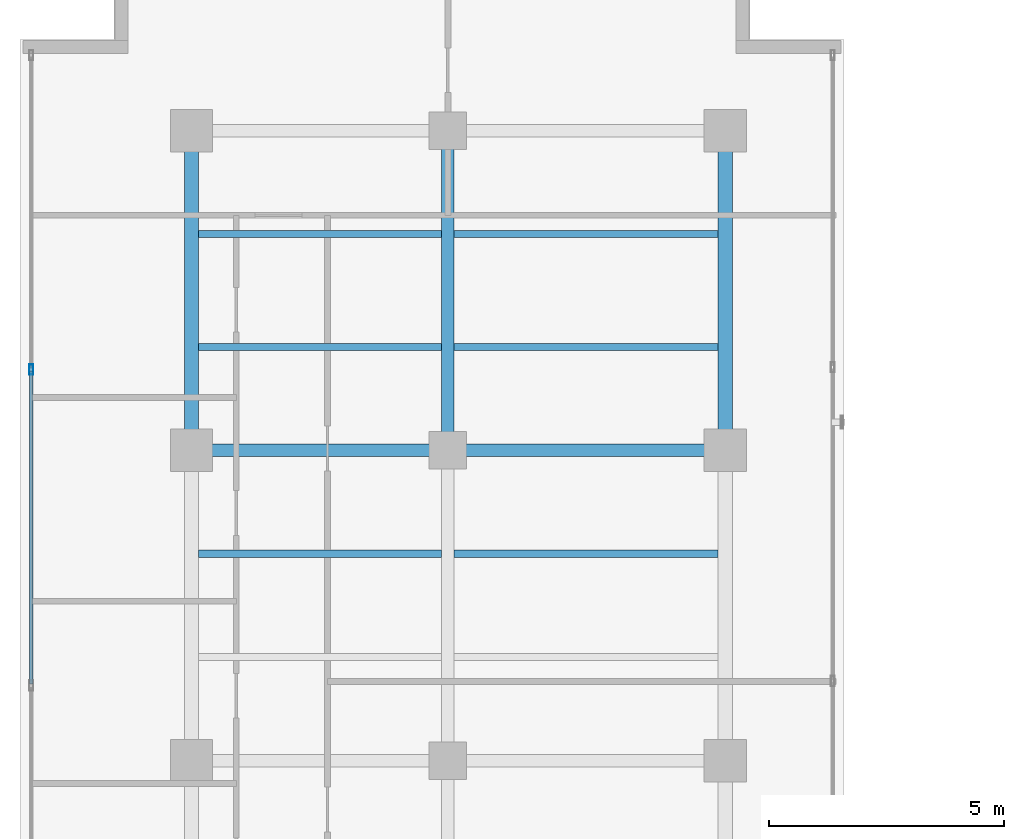
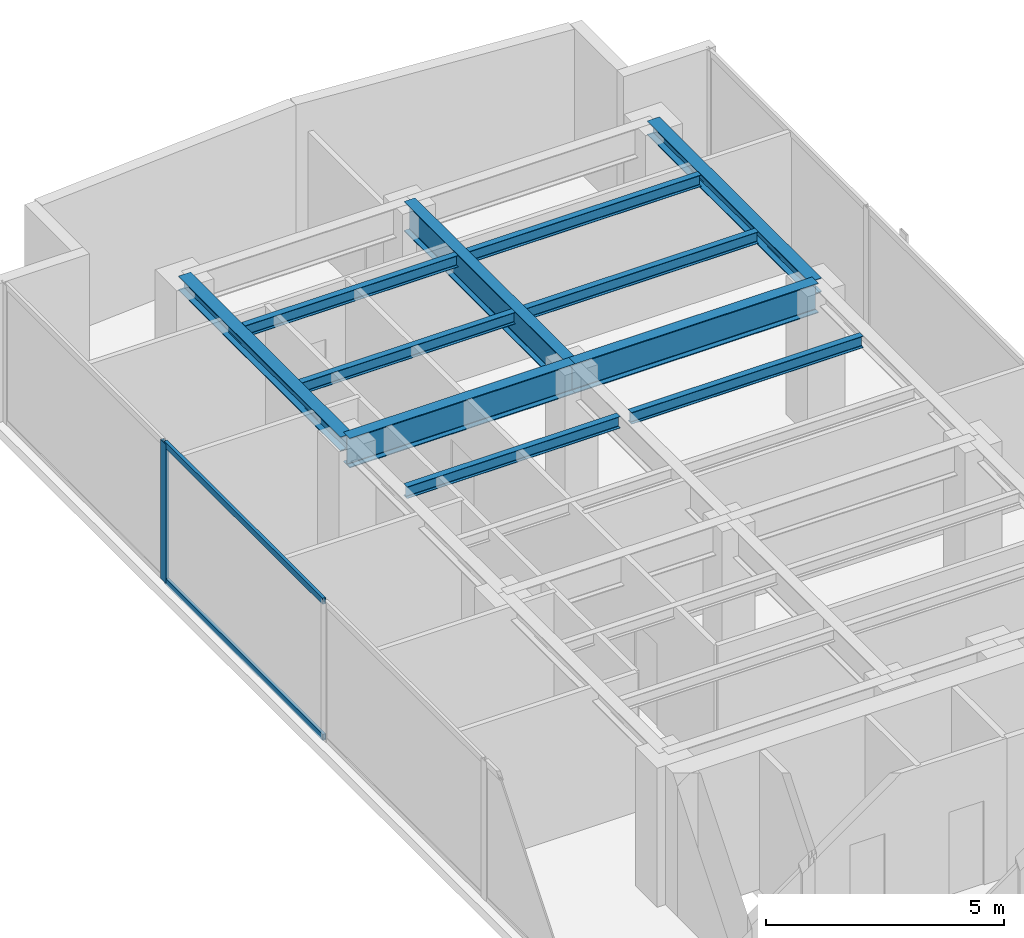
# One storey, part 12 of 23: 11 beams, 3 members, 1 element without a shape of its own.
"""IFC4 building model written with IfcOpenShell, lengths in metres."""

from ifc_helpers import new_model, si_unit, direction, frame, origin, origin_with_axes, origin_2d, place, context, subcontext, project, spatial, hollow_rectangle, i_section, extrude, source, transform, mapped, material, layer, layer_set, material_profile, profile_set, type_object, element, aggregate, save


model = new_model("IFC4")

# Units and contexts
model_context = context("Model", 3, precision=1e-05, world=origin(), true_north=direction((0.0, 1.0)))
body_context = subcontext(model_context, "Body", "Model", "MODEL_VIEW")
ifc_project = project(units=[si_unit("LENGTHUNIT", "METRE"), si_unit("AREAUNIT", "SQUARE_METRE"), si_unit("VOLUMEUNIT", "CUBIC_METRE"), si_unit("PLANEANGLEUNIT", "RADIAN"), si_unit("MASSUNIT", "GRAM", prefix="KILO")], contexts=[model_context])

# Site, building, storey
site_placement = place(None, origin())
site = spatial("IfcSite", under=ifc_project, at=site_placement, CompositionType="ELEMENT")
building_placement = place(site_placement, origin())
building = spatial("IfcBuilding", under=site, at=building_placement, Name="Kolvaren Waterfront Exchange", CompositionType="ELEMENT")
storey_placement = place(building_placement, frame((0.0, 0.0, 289.39990234375)))
storey = spatial("IfcBuildingStorey", under=building, at=storey_placement, Name="L74", CompositionType="ELEMENT", Elevation=289.39990234375)

# Beams
ifc_material_1 = material(Name="Steel S355", Category="steel")
ifc_material_profile_1 = material_profile(ifc_material_1, i_section(OverallWidth=0.300048828125, OverallDepth=0.360107421875, WebThickness=0.012451171875, FlangeThickness=0.0224609375, FilletRadius=0.027099609375, at=origin_2d()), Name="HEB360")
ifc_profile_set_1 = profile_set([ifc_material_profile_1], Name="Steel S355")
beam_type_1 = type_object("IfcBeamType", Name="STR-BM-HEB360", PredefinedType="SPANDREL", material=ifc_profile_set_1)
for number, where, z_axis, x_axis, name in (
    (1, (7.449951171875, 37.800048828125, 3.380126953125), (0.0, 1.0, 0.0), (-1.0, 0.0, 0.0), "L74 north-arm edge beam 3"),
    (2, (18.800048828125, 37.800048828125, 3.380126953125), (0.0, 1.0, 0.0), (-1.0, 0.0, 0.0), "L74 north-arm edge beam 3"),
):
    element("IfcBeam", number, at=place(storey_placement, frame(where, z_axis=z_axis, x_axis=x_axis)), inside=storey, type_object=beam_type_1, Name=name, PredefinedType="SPANDREL", context=body_context, shape_type="SweptSolid", body=[
        extrude(i_section(OverallWidth=0.300048828125, OverallDepth=0.360107421875, WebThickness=0.012451171875, FlangeThickness=0.0224609375, FilletRadius=0.027099609375, at=origin_2d()), origin(), (0.0, 0.0, 1.0), 6.800048828125),
    ])
ifc_material_profile_2 = material_profile(ifc_material_1, i_section(OverallWidth=0.14990234375, OverallDepth=0.300048828125, WebThickness=0.007080078125, FlangeThickness=0.0107421875, FilletRadius=0.014892578125, at=origin_2d()), Name="IPE300")
ifc_profile_set_2 = profile_set([ifc_material_profile_2], Name="Steel S355")
beam_type_2 = type_object("IfcBeamType", Name="STR-BM-IPE300", PredefinedType="JOIST", material=ifc_profile_set_2)
beam_1_placement = place(storey_placement, frame((7.60205078125, 35.60009765625, 3.41015625), z_axis=(1.0, 0.0, 0.0), x_axis=(0.0, 1.0, 0.0)))
element("IfcBeam", 3, at=beam_1_placement, inside=storey, type_object=beam_type_2, Name="L74 north-arm composite joist 4A", PredefinedType="JOIST", context=body_context, shape_type="SweptSolid", body=[
    extrude(i_section(OverallWidth=0.14990234375, OverallDepth=0.300048828125, WebThickness=0.007080078125, FlangeThickness=0.0107421875, FilletRadius=0.014892578125, at=origin_2d()), origin(), (0.0, 0.0, 1.0), 5.162353515625),
])
beam_2_placement = place(storey_placement, frame((13.035400390625, 35.60009765625, 3.41015625), z_axis=(1.0, 0.0, 0.0), x_axis=(0.0, 1.0, 0.0)))
element("IfcBeam", 4, at=beam_2_placement, inside=storey, type_object=beam_type_2, Name="L74 north-arm composite joist 4B", PredefinedType="JOIST", context=body_context, shape_type="SweptSolid", body=[
    extrude(i_section(OverallWidth=0.14990234375, OverallDepth=0.300048828125, WebThickness=0.007080078125, FlangeThickness=0.0107421875, FilletRadius=0.014892578125, at=origin_2d()), origin(), (0.0, 0.0, 1.0), 5.612548828125),
])
beam_3_placement = place(storey_placement, frame((7.60205078125, 40.0, 3.41015625), z_axis=(1.0, 0.0, 0.0), x_axis=(0.0, 1.0, 0.0)))
element("IfcBeam", 5, at=beam_3_placement, inside=storey, type_object=beam_type_2, Name="L74 north-arm composite joist 5A", PredefinedType="JOIST", context=body_context, shape_type="SweptSolid", body=[
    extrude(i_section(OverallWidth=0.14990234375, OverallDepth=0.300048828125, WebThickness=0.007080078125, FlangeThickness=0.0107421875, FilletRadius=0.014892578125, at=origin_2d()), origin(), (0.0, 0.0, 1.0), 5.162353515625),
])
beam_4_placement = place(storey_placement, frame((13.035400390625, 40.0, 3.41015625), z_axis=(1.0, 0.0, 0.0), x_axis=(0.0, 1.0, 0.0)))
element("IfcBeam", 6, at=beam_4_placement, inside=storey, type_object=beam_type_2, Name="L74 north-arm composite joist 5B", PredefinedType="JOIST", context=body_context, shape_type="SweptSolid", body=[
    extrude(i_section(OverallWidth=0.14990234375, OverallDepth=0.300048828125, WebThickness=0.007080078125, FlangeThickness=0.0107421875, FilletRadius=0.014892578125, at=origin_2d()), origin(), (0.0, 0.0, 1.0), 5.612548828125),
])
beam_5_placement = place(storey_placement, frame((7.60205078125, 42.39990234375, 3.41015625), z_axis=(1.0, 0.0, 0.0), x_axis=(0.0, 1.0, 0.0)))
element("IfcBeam", 7, at=beam_5_placement, inside=storey, type_object=beam_type_2, Name="L74 north-arm composite joist 6A", PredefinedType="JOIST", context=body_context, shape_type="SweptSolid", body=[
    extrude(i_section(OverallWidth=0.14990234375, OverallDepth=0.300048828125, WebThickness=0.007080078125, FlangeThickness=0.0107421875, FilletRadius=0.014892578125, at=origin_2d()), origin(), (0.0, 0.0, 1.0), 5.162353515625),
])
beam_6_placement = place(storey_placement, frame((13.035400390625, 42.39990234375, 3.41015625), z_axis=(1.0, 0.0, 0.0), x_axis=(0.0, 1.0, 0.0)))
element("IfcBeam", 8, at=beam_6_placement, inside=storey, type_object=beam_type_2, Name="L74 north-arm composite joist 6B", PredefinedType="JOIST", context=body_context, shape_type="SweptSolid", body=[
    extrude(i_section(OverallWidth=0.14990234375, OverallDepth=0.300048828125, WebThickness=0.007080078125, FlangeThickness=0.0107421875, FilletRadius=0.014892578125, at=origin_2d()), origin(), (0.0, 0.0, 1.0), 5.612548828125),
])
ifc_material_profile_3 = material_profile(ifc_material_1, i_section(OverallWidth=0.26708984375, OverallDepth=0.761962890625, WebThickness=0.014404296875, FlangeThickness=0.021484375, FilletRadius=0.01708984375, at=origin_2d()), Name="IPE750x173")
ifc_profile_set_3 = profile_set([ifc_material_profile_3], Name="Steel S355")
beam_type_3 = type_object("IfcBeamType", Name="STR-BM-IPE750", PredefinedType="BEAM", material=ifc_profile_set_3)
beam_7_placement = place(storey_placement, frame((7.449951171875, 37.800048828125, 3.17919921875), z_axis=(1.0, 0.0, 0.0), x_axis=(0.0, 1.0, 0.0)))
element("IfcBeam", 9, at=beam_7_placement, inside=storey, type_object=beam_type_3, Name="L74 north-arm girder 3A", PredefinedType="BEAM", context=body_context, shape_type="SweptSolid", body=[
    extrude(i_section(OverallWidth=0.26708984375, OverallDepth=0.761962890625, WebThickness=0.014404296875, FlangeThickness=0.021484375, FilletRadius=0.01708984375, at=origin_2d()), origin(), (0.0, 0.0, 1.0), 5.449951171875),
])
beam_8_placement = place(storey_placement, frame((12.89990234375, 37.800048828125, 3.17919921875), z_axis=(1.0, 0.0, 0.0), x_axis=(0.0, 1.0, 0.0)))
element("IfcBeam", 10, at=beam_8_placement, inside=storey, type_object=beam_type_3, Name="L74 north-arm girder 3B", PredefinedType="BEAM", context=body_context, shape_type="SweptSolid", body=[
    extrude(i_section(OverallWidth=0.26708984375, OverallDepth=0.761962890625, WebThickness=0.014404296875, FlangeThickness=0.021484375, FilletRadius=0.01708984375, at=origin_2d()), origin(), (0.0, 0.0, 1.0), 5.900146484375),
])
beam_9_placement = place(storey_placement, frame((12.89990234375, 37.800048828125, 3.17919921875), z_axis=(0.0, 1.0, 0.0), x_axis=(-1.0, 0.0, 0.0)))
element("IfcBeam", 11, at=beam_9_placement, inside=storey, type_object=beam_type_3, Name="L74 north-arm edge beam 3", PredefinedType="BEAM", context=body_context, shape_type="SweptSolid", body=[
    extrude(i_section(OverallWidth=0.26708984375, OverallDepth=0.761962890625, WebThickness=0.014404296875, FlangeThickness=0.021484375, FilletRadius=0.01708984375, at=origin_2d()), origin(), (0.0, 0.0, 1.0), 6.800048828125),
])

# Curtain wall, members
ifc_material_2 = material(Name="Anodised aluminium 6063-T6", Category="aluminium")
ifc_layer = layer(ifc_material_2, 0.219970703125, Name="Anodised aluminium 6063-T6")
ifc_layer_set = layer_set([ifc_layer], Name="Anodised aluminium 6063-T6")
curtain_wall_type = type_object("IfcCurtainWallType", Name="ARC-CW-SYS2", PredefinedType="USERDEFINED", material=ifc_layer_set)
curtain_wall_placement = place(storey_placement, origin())
curtain_wall = element("IfcCurtainWall", 12, at=curtain_wall_placement, inside=storey, type_object=curtain_wall_type, Name="L74 stick curtain wall CW2 (CW-L74-W)", ObjectType="STICK CURTAIN WALL", PredefinedType="USERDEFINED")
ifc_material_profile_4 = material_profile(ifc_material_2, hollow_rectangle(XDim=0.080078125, YDim=0.219970703125, WallThickness=0.0048828125, at=origin_2d()), Name="ALU-MUL-220x80x5")
ifc_profile_set_4 = profile_set([ifc_material_profile_4], Name="Anodised aluminium 6063-T6")
member_type_1 = type_object("IfcMemberType", Name="ARC-CWM-220", PredefinedType="MULLION", material=ifc_profile_set_4)
shared_shape_1 = source(origin_with_axes(), body_context, "Body", "SweptSolid", [
    extrude(hollow_rectangle(XDim=0.080078125, YDim=0.219970703125, WallThickness=0.0048828125, at=origin_2d()), origin(), (0.0, 0.0, 1.0), 3.56005859375),
])
member_1_placement = place(storey_placement, frame((4.0400390625, 39.518310546875, 0.0), z_axis=(0.0, 0.0, 1.0), x_axis=(-1.0, 0.0, 0.0)))
member_1 = element("IfcMember", 13, at=member_1_placement, type_object=member_type_1, Name="CW2 mullion 6", PredefinedType="MULLION", context=body_context, shape_type="MappedRepresentation", body=[
    mapped(shared_shape_1, transform((0.0, 0.0, 0.0), x_axis=(1.0, 0.0, 0.0), y_axis=(0.0, 1.0, 0.0), z_axis=(0.0, 0.0, 1.0), scale=1.0)),
])
ifc_material_profile_5 = material_profile(ifc_material_2, hollow_rectangle(XDim=0.074951171875, YDim=0.159912109375, WallThickness=0.00439453125, at=origin_2d()), Name="ALU-TRN-160x75x4.5")
ifc_profile_set_5 = profile_set([ifc_material_profile_5], Name="Anodised aluminium 6063-T6")
member_type_2 = type_object("IfcMemberType", Name="ARC-CWT-160", PredefinedType="USERDEFINED", material=ifc_profile_set_5)
shared_shape_2 = source(origin_with_axes(), body_context, "Body", "SweptSolid", [
    extrude(hollow_rectangle(XDim=0.074951171875, YDim=0.159912109375, WallThickness=0.00439453125, at=origin_2d()), origin(), (0.0, 0.0, 1.0), 6.643798828125),
])
member_2_placement = place(storey_placement, frame((4.0400390625, 32.834716796875, 0.03759765625), z_axis=(0.0, 1.0, 0.0), x_axis=(-1.0, 0.0, 0.0)))
member_2 = element("IfcMember", 14, at=member_2_placement, type_object=member_type_2, Name="CW2 transom 5.1", ObjectType="TRANSOM", PredefinedType="USERDEFINED", context=body_context, shape_type="MappedRepresentation", body=[
    mapped(shared_shape_2, transform((0.0, 0.0, 0.0), x_axis=(1.0, 0.0, 0.0), y_axis=(0.0, 1.0, 0.0), z_axis=(0.0, 0.0, 1.0), scale=1.0)),
])
member_3_placement = place(storey_placement, frame((4.0400390625, 32.834716796875, 3.522705078125), z_axis=(0.0, 1.0, 0.0), x_axis=(-1.0, 0.0, 0.0)))
member_3 = element("IfcMember", 15, at=member_3_placement, type_object=member_type_2, Name="CW2 transom 5.2", ObjectType="TRANSOM", PredefinedType="USERDEFINED", context=body_context, shape_type="MappedRepresentation", body=[
    mapped(shared_shape_2, transform((0.0, 0.0, 0.0), x_axis=(1.0, 0.0, 0.0), y_axis=(0.0, 1.0, 0.0), z_axis=(0.0, 0.0, 1.0), scale=1.0)),
])
aggregate(curtain_wall, [member_1, member_2, member_3])

save(model, "model.ifc")
